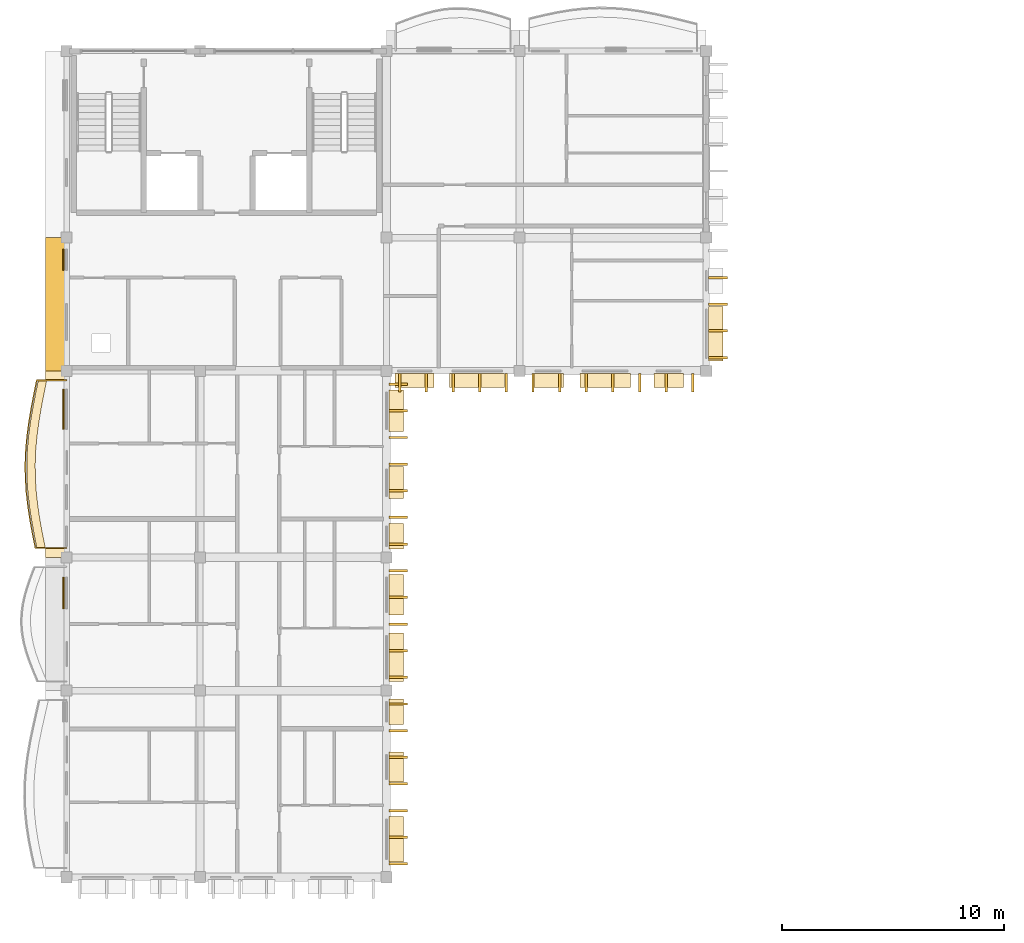
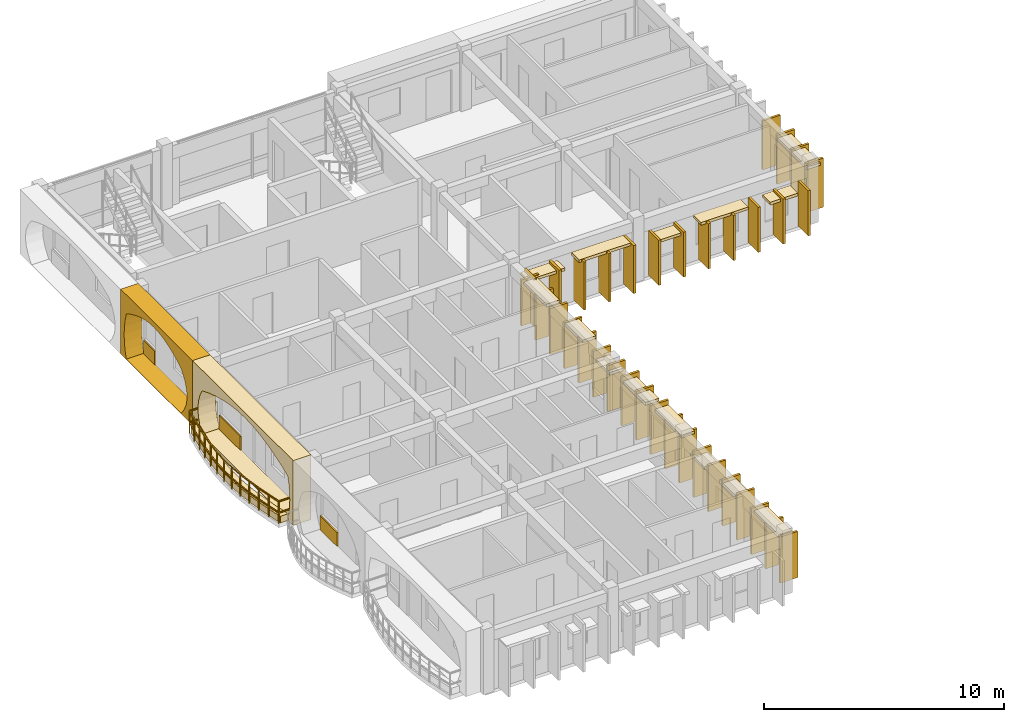
# One storey, part 20 of 28: 55 coverings, 1 railing.
"""IFC4 building model written with IfcOpenShell, lengths in metres."""

from ifc_helpers import new_model, si_unit, direction, frame, origin, origin_2d, place, context, subcontext, project, spatial, polyline, rectangle, outline, extrude, material, layer, layer_set, type_object, element, save


model = new_model("IFC4")

# Units and contexts
model_context = context("Model", 3, precision=1e-05, world=origin(), true_north=direction((0.0, 1.0)))
body_context = subcontext(model_context, "Body", "Model", "MODEL_VIEW")
ifc_project = project(units=[si_unit("LENGTHUNIT", "METRE"), si_unit("AREAUNIT", "SQUARE_METRE"), si_unit("VOLUMEUNIT", "CUBIC_METRE"), si_unit("PLANEANGLEUNIT", "RADIAN"), si_unit("MASSUNIT", "GRAM", prefix="KILO"), si_unit("THERMODYNAMICTEMPERATUREUNIT", "KELVIN")], contexts=[model_context])

# Site, building, storey
site_placement = place(None, origin())
site = spatial("IfcSite", under=ifc_project, at=site_placement, CompositionType="ELEMENT")
building_placement = place(site_placement, origin())
building = spatial("IfcBuilding", under=site, at=building_placement, Name="Thalorik Housing Commons", CompositionType="ELEMENT")
storey_placement = place(building_placement, frame((0.0, 0.0, 41.10009765625)))
storey = spatial("IfcBuildingStorey", under=building, at=storey_placement, Name="L12", CompositionType="ELEMENT", Elevation=41.10009765625)

# Coverings
ifc_material_1 = material(Name="Cobalt blue glazed ceramic facade tile panel", Category="masonry")
ifc_layer_1 = layer(ifc_material_1, 0.06005859375, Name="Cobalt blue glazed ceramic facade tile panel", Category="masonry")
ifc_layer_set_1 = layer_set([ifc_layer_1], Name="Cobalt blue glazed ceramic facade tile panel")
covering_type_1 = type_object("IfcCoveringType", Name="ARC-CLD-BLU-60", PredefinedType="CLADDING", material=ifc_layer_set_1)
covering_1_placement = place(storey_placement, frame((8.257568359375, 107.472412109375, 0.0498046875), z_axis=(0.0, 0.0, 1.0), x_axis=(0.0, -1.0, 0.0)))
element("IfcCovering", 1, at=covering_1_placement, inside=storey, type_object=covering_type_1, Name="L12 De Stijl Recessed Window Spandrel 1214", PredefinedType="CLADDING", context=body_context, shape_type="SweptSolid", body=[
    extrude(rectangle(XDim=1.780029296875, YDim=0.06005859375, at=origin_2d()), origin(), (0.0, 0.0, 1.0), 0.699951171875),
])
ifc_material_2 = material(Name="Precast concrete C40/50", Category="concrete")
ifc_layer_2 = layer(ifc_material_2, 0.85009765625, Name="Precast concrete C40/50", Category="concrete")
ifc_layer_set_2 = layer_set([ifc_layer_2], Name="Precast concrete C40/50")
covering_type_2 = type_object("IfcCoveringType", Name="ARC-CLD-CUSH-850", PredefinedType="CLADDING", material=ifc_layer_set_2)
covering_2_placement = place(storey_placement, frame((7.867431640625, 112.199951171875, 0.0), z_axis=(0.0, 0.0, 1.0), x_axis=(0.0, -1.0, 0.0)))
element("IfcCovering", 2, at=covering_2_placement, inside=storey, type_object=covering_type_2, Name="L12 White Precast Curved Cushion Bay Frame 1211", PredefinedType="CLADDING", context=body_context, shape_type="SweptSolid", body=[
    extrude(outline(polyline([(-3.0, 0.0), (3.0, 0.0), (3.0, 3.300048828125), (-3.0, 3.300048828125), (-3.0, 0.0)]), holes=[polyline([(2.0400390625, 0.02490234375), (2.3232421875, 0.407470703125), (2.493408203125, 0.7900390625), (2.550048828125, 1.172607421875), (2.493408203125, 1.554931640625), (2.3232421875, 1.9375), (2.0400390625, 2.320068359375), (1.6591796875, 2.539306640625), (1.2783203125, 2.711181640625), (0.8974609375, 2.8505859375), (0.5166015625, 2.954345703125), (0.1357421875, 3.018310546875), (-0.2451171875, 3.0400390625), (-0.625732421875, 3.018310546875), (-1.006591796875, 2.954345703125), (-1.387451171875, 2.8505859375), (-1.768310546875, 2.711181640625), (-2.149169921875, 2.539306640625), (-2.530029296875, 2.320068359375), (-2.629150390625, 1.9375), (-2.688720703125, 1.554931640625), (-2.70849609375, 1.172607421875), (-2.688720703125, 0.7900390625), (-2.629150390625, 0.407470703125), (-2.530029296875, 0.02490234375), (2.0400390625, 0.02490234375)])]), frame((0.0, 0.425048828125, 0.0), z_axis=(0.0, -1.0, 0.0), x_axis=(1.0, 0.0, 0.0)), (0.0, 0.0, 1.0), 0.85009765625),
])
covering_3_placement = place(storey_placement, frame((7.867431640625, 105.0, 0.0), z_axis=(0.0, 0.0, 1.0), x_axis=(0.0, -1.0, 0.0)))
element("IfcCovering", 3, at=covering_3_placement, inside=storey, type_object=covering_type_2, Name="L12 White Precast Curved Cushion Bay Frame 1213", PredefinedType="CLADDING", context=body_context, shape_type="SweptSolid", body=[
    extrude(outline(polyline([(-4.199951171875, 0.0), (4.199951171875, 0.0), (4.199951171875, 3.300048828125), (-4.199951171875, 3.300048828125), (-4.199951171875, 0.0)]), holes=[polyline([(3.739990234375, 0.02490234375), (3.837158203125, 0.394287109375), (3.8955078125, 0.76318359375), (3.914794921875, 1.132568359375), (3.8955078125, 1.501708984375), (3.837158203125, 1.870849609375), (3.739990234375, 2.239990234375), (3.14404296875, 2.4833984375), (2.5478515625, 2.6748046875), (1.951904296875, 2.82958984375), (1.355712890625, 2.94482421875), (0.759765625, 3.01611328125), (0.163818359375, 3.0400390625), (-0.432373046875, 3.01611328125), (-1.0283203125, 2.94482421875), (-1.62451171875, 2.82958984375), (-2.220458984375, 2.6748046875), (-2.81640625, 2.4833984375), (-3.41259765625, 2.239990234375), (-3.60009765625, 1.870849609375), (-3.71240234375, 1.501708984375), (-3.75, 1.132568359375), (-3.71240234375, 0.76318359375), (-3.60009765625, 0.394287109375), (-3.41259765625, 0.02490234375), (3.739990234375, 0.02490234375)])]), frame((0.0, 0.425048828125, 0.0), z_axis=(0.0, -1.0, 0.0), x_axis=(1.0, 0.0, 0.0)), (0.0, 0.0, 1.0), 0.85009765625),
])
ifc_layer_3 = layer(ifc_material_2, 0.85009765625, Name="Precast concrete C40/50", Category="concrete")
ifc_layer_set_3 = layer_set([ifc_layer_3], Name="Precast concrete C40/50")
covering_type_3 = type_object("IfcCoveringType", Name="ARC-CLD-FIN-850", PredefinedType="CLADDING", material=ifc_layer_set_3)
for number, where, z_axis, x_axis, name in (
    (4, (23.39990234375, 108.66748046875, 0.0400390625), (0.0, 0.0, 1.0), (1.0, 0.0, 0.0), "L12 Courtyard Precast Vertical Brise-Soleil Fin 1171"),
    (5, (24.60009765625, 108.66748046875, 0.0400390625), (0.0, 0.0, 1.0), (1.0, 0.0, 0.0), "L12 Courtyard Precast Vertical Brise-Soleil Fin 1172"),
    (6, (25.800048828125, 108.66748046875, 0.0400390625), (0.0, 0.0, 1.0), (1.0, 0.0, 0.0), "L12 Courtyard Precast Vertical Brise-Soleil Fin 1173"),
    (7, (27.0, 108.66748046875, 0.0400390625), (0.0, 0.0, 1.0), (1.0, 0.0, 0.0), "L12 Courtyard Precast Vertical Brise-Soleil Fin 1174"),
    (8, (28.199951171875, 108.66748046875, 0.0400390625), (0.0, 0.0, 1.0), (1.0, 0.0, 0.0), "L12 Courtyard Precast Vertical Brise-Soleil Fin 1175"),
):
    element("IfcCovering", number, at=place(storey_placement, frame(where, z_axis=z_axis, x_axis=x_axis)), inside=storey, type_object=covering_type_3, Name=name, PredefinedType="CLADDING", context=body_context, shape_type="SweptSolid", body=[
        extrude(rectangle(XDim=0.110107421875, YDim=0.85009765625, at=origin_2d()), origin(), (0.0, 0.0, 1.0), 2.445068359375),
    ])
for number, where, z_axis, x_axis, name in (
    (9, (29.39990234375, 108.66748046875, 0.0400390625), (0.0, 0.0, 1.0), (1.0, 0.0, 0.0), "L12 Courtyard Precast Vertical Brise-Soleil Fin 1178"),
    (10, (30.60009765625, 108.66748046875, 0.0400390625), (0.0, 0.0, 1.0), (1.0, 0.0, 0.0), "L12 Courtyard Precast Vertical Brise-Soleil Fin 1179"),
    (11, (31.800048828125, 108.66748046875, 0.0400390625), (0.0, 0.0, 1.0), (1.0, 0.0, 0.0), "L12 Courtyard Precast Vertical Brise-Soleil Fin 1180"),
    (12, (33.0, 108.66748046875, 0.0400390625), (0.0, 0.0, 1.0), (1.0, 0.0, 0.0), "L12 Courtyard Precast Vertical Brise-Soleil Fin 1181"),
    (13, (34.199951171875, 108.66748046875, 0.0400390625), (0.0, 0.0, 1.0), (1.0, 0.0, 0.0), "L12 Courtyard Precast Vertical Brise-Soleil Fin 1182"),
    (14, (35.39990234375, 108.66748046875, 0.0400390625), (0.0, 0.0, 1.0), (1.0, 0.0, 0.0), "L12 Courtyard Precast Vertical Brise-Soleil Fin 1183"),
    (15, (36.60009765625, 108.66748046875, 0.0400390625), (0.0, 0.0, 1.0), (1.0, 0.0, 0.0), "L12 Courtyard Precast Vertical Brise-Soleil Fin 1184"),
):
    element("IfcCovering", number, at=place(storey_placement, frame(where, z_axis=z_axis, x_axis=x_axis)), inside=storey, type_object=covering_type_3, Name=name, PredefinedType="CLADDING", context=body_context, shape_type="SweptSolid", body=[
        extrude(rectangle(XDim=0.110107421875, YDim=0.85009765625, at=origin_2d()), origin(), (0.0, 0.0, 1.0), 2.294921875),
    ])
for number, where, z_axis, x_axis, name in (
    (16, (37.732421875, 109.800048828125, 0.039794921875), (0.0, 0.0, 1.0), (0.0, 1.0, 0.0), "L12 Courtyard Precast Vertical Brise-Soleil Fin 1188"),
    (17, (37.732421875, 111.0, 0.039794921875), (0.0, 0.0, 1.0), (0.0, 1.0, 0.0), "L12 Courtyard Precast Vertical Brise-Soleil Fin 1189"),
    (18, (37.732421875, 112.199951171875, 0.039794921875), (0.0, 0.0, 1.0), (0.0, 1.0, 0.0), "L12 Courtyard Precast Vertical Brise-Soleil Fin 1190"),
    (19, (37.732421875, 113.39990234375, 0.039794921875), (0.0, 0.0, 1.0), (0.0, 1.0, 0.0), "L12 Courtyard Precast Vertical Brise-Soleil Fin 1191"),
):
    element("IfcCovering", number, at=place(storey_placement, frame(where, z_axis=z_axis, x_axis=x_axis)), inside=storey, type_object=covering_type_3, Name=name, PredefinedType="CLADDING", context=body_context, shape_type="SweptSolid", body=[
        extrude(rectangle(XDim=0.110107421875, YDim=0.85009765625, at=origin_2d()), origin(), (0.0, 0.0, 1.0), 2.4951171875),
    ])
for number, where, z_axis, x_axis, name in (
    (20, (23.33251953125, 87.0, 0.0400390625), (0.0, 0.0, 1.0), (0.0, 1.0, 0.0), "L12 Courtyard Precast Vertical Brise-Soleil Fin 1236"),
    (21, (23.33251953125, 88.199951171875, 0.0400390625), (0.0, 0.0, 1.0), (0.0, 1.0, 0.0), "L12 Courtyard Precast Vertical Brise-Soleil Fin 1237"),
    (22, (23.33251953125, 89.39990234375, 0.0400390625), (0.0, 0.0, 1.0), (0.0, 1.0, 0.0), "L12 Courtyard Precast Vertical Brise-Soleil Fin 1238"),
    (23, (23.33251953125, 90.60009765625, 0.0400390625), (0.0, 0.0, 1.0), (0.0, 1.0, 0.0), "L12 Courtyard Precast Vertical Brise-Soleil Fin 1239"),
    (24, (23.33251953125, 91.800048828125, 0.0400390625), (0.0, 0.0, 1.0), (0.0, 1.0, 0.0), "L12 Courtyard Precast Vertical Brise-Soleil Fin 1240"),
    (25, (23.33251953125, 93.0, 0.0400390625), (0.0, 0.0, 1.0), (0.0, 1.0, 0.0), "L12 Courtyard Precast Vertical Brise-Soleil Fin 1241"),
    (26, (23.33251953125, 94.199951171875, 0.0400390625), (0.0, 0.0, 1.0), (0.0, 1.0, 0.0), "L12 Courtyard Precast Vertical Brise-Soleil Fin 1242"),
):
    element("IfcCovering", number, at=place(storey_placement, frame(where, z_axis=z_axis, x_axis=x_axis)), inside=storey, type_object=covering_type_3, Name=name, PredefinedType="CLADDING", context=body_context, shape_type="SweptSolid", body=[
        extrude(rectangle(XDim=0.110107421875, YDim=0.85009765625, at=origin_2d()), origin(), (0.0, 0.0, 1.0), 2.344970703125),
    ])
for number, where, z_axis, x_axis, name in (
    (27, (23.33251953125, 95.39990234375, 0.039794921875), (0.0, 0.0, 1.0), (0.0, 1.0, 0.0), "L12 Courtyard Precast Vertical Brise-Soleil Fin 1246"),
    (28, (23.33251953125, 96.60009765625, 0.039794921875), (0.0, 0.0, 1.0), (0.0, 1.0, 0.0), "L12 Courtyard Precast Vertical Brise-Soleil Fin 1247"),
    (29, (23.33251953125, 97.800048828125, 0.039794921875), (0.0, 0.0, 1.0), (0.0, 1.0, 0.0), "L12 Courtyard Precast Vertical Brise-Soleil Fin 1248"),
    (30, (23.33251953125, 99.0, 0.039794921875), (0.0, 0.0, 1.0), (0.0, 1.0, 0.0), "L12 Courtyard Precast Vertical Brise-Soleil Fin 1249"),
    (31, (23.33251953125, 100.199951171875, 0.039794921875), (0.0, 0.0, 1.0), (0.0, 1.0, 0.0), "L12 Courtyard Precast Vertical Brise-Soleil Fin 1250"),
):
    element("IfcCovering", number, at=place(storey_placement, frame(where, z_axis=z_axis, x_axis=x_axis)), inside=storey, type_object=covering_type_3, Name=name, PredefinedType="CLADDING", context=body_context, shape_type="SweptSolid", body=[
        extrude(rectangle(XDim=0.110107421875, YDim=0.85009765625, at=origin_2d()), origin(), (0.0, 0.0, 1.0), 2.4951171875),
    ])
for number, where, z_axis, x_axis, name in (
    (32, (23.33251953125, 101.39990234375, 0.0400390625), (0.0, 0.0, 1.0), (0.0, 1.0, 0.0), "L12 Courtyard Precast Vertical Brise-Soleil Fin 1253"),
    (33, (23.33251953125, 102.60009765625, 0.0400390625), (0.0, 0.0, 1.0), (0.0, 1.0, 0.0), "L12 Courtyard Precast Vertical Brise-Soleil Fin 1254"),
    (34, (23.33251953125, 103.800048828125, 0.0400390625), (0.0, 0.0, 1.0), (0.0, 1.0, 0.0), "L12 Courtyard Precast Vertical Brise-Soleil Fin 1255"),
    (35, (23.33251953125, 105.0, 0.0400390625), (0.0, 0.0, 1.0), (0.0, 1.0, 0.0), "L12 Courtyard Precast Vertical Brise-Soleil Fin 1256"),
    (36, (23.33251953125, 106.199951171875, 0.0400390625), (0.0, 0.0, 1.0), (0.0, 1.0, 0.0), "L12 Courtyard Precast Vertical Brise-Soleil Fin 1257"),
    (37, (23.33251953125, 107.39990234375, 0.0400390625), (0.0, 0.0, 1.0), (0.0, 1.0, 0.0), "L12 Courtyard Precast Vertical Brise-Soleil Fin 1258"),
    (38, (23.33251953125, 108.60009765625, 0.0400390625), (0.0, 0.0, 1.0), (0.0, 1.0, 0.0), "L12 Courtyard Precast Vertical Brise-Soleil Fin 1259"),
):
    element("IfcCovering", number, at=place(storey_placement, frame(where, z_axis=z_axis, x_axis=x_axis)), inside=storey, type_object=covering_type_3, Name=name, PredefinedType="CLADDING", context=body_context, shape_type="SweptSolid", body=[
        extrude(rectangle(XDim=0.110107421875, YDim=0.85009765625, at=origin_2d()), origin(), (0.0, 0.0, 1.0), 2.344970703125),
    ])
ifc_layer_4 = layer(ifc_material_2, 0.64990234375, Name="Precast concrete C40/50", Category="concrete")
ifc_layer_set_4 = layer_set([ifc_layer_4], Name="Precast concrete C40/50")
covering_type_4 = type_object("IfcCoveringType", Name="ARC-CLD-HOOD-650", PredefinedType="CLADDING", material=ifc_layer_set_4)
covering_4_placement = place(storey_placement, frame((24.070068359375, 108.767578125, 2.2099609375), z_axis=(0.0, 0.0, 1.0), x_axis=(1.0, 0.0, 0.0)))
element("IfcCovering", 39, at=covering_4_placement, inside=storey, type_object=covering_type_4, Name="L12 Courtyard Precast Window Sun-Hood 1176", PredefinedType="CLADDING", context=body_context, shape_type="SweptSolid", body=[
    extrude(rectangle(XDim=1.760009765625, YDim=0.64990234375, at=origin_2d()), origin(), (0.0, 0.0, 1.0), 0.139892578125),
])
covering_5_placement = place(storey_placement, frame((26.8798828125, 108.767578125, 2.375), z_axis=(0.0, 0.0, 1.0), x_axis=(1.0, 0.0, 0.0)))
element("IfcCovering", 40, at=covering_5_placement, inside=storey, type_object=covering_type_4, Name="L12 Courtyard Precast Window Sun-Hood 1177", PredefinedType="CLADDING", context=body_context, shape_type="SweptSolid", body=[
    extrude(rectangle(XDim=2.489990234375, YDim=0.64990234375, at=origin_2d()), origin(), (0.0, 0.0, 1.0), 0.139892578125),
])
covering_6_placement = place(storey_placement, frame((30.0673828125, 108.767578125, 2.0400390625), z_axis=(0.0, 0.0, 1.0), x_axis=(1.0, 0.0, 0.0)))
element("IfcCovering", 41, at=covering_6_placement, inside=storey, type_object=covering_type_4, Name="L12 Courtyard Precast Window Sun-Hood 1185", PredefinedType="CLADDING", context=body_context, shape_type="SweptSolid", body=[
    extrude(rectangle(XDim=1.389892578125, YDim=0.64990234375, at=origin_2d()), origin(), (0.0, 0.0, 1.0), 0.139892578125),
])
covering_7_placement = place(storey_placement, frame((32.646240234375, 108.767578125, 2.22509765625), z_axis=(0.0, 0.0, 1.0), x_axis=(1.0, 0.0, 0.0)))
element("IfcCovering", 42, at=covering_7_placement, inside=storey, type_object=covering_type_4, Name="L12 Courtyard Precast Window Sun-Hood 1186", PredefinedType="CLADDING", context=body_context, shape_type="SweptSolid", body=[
    extrude(rectangle(XDim=2.280029296875, YDim=0.64990234375, at=origin_2d()), origin(), (0.0, 0.0, 1.0), 0.139892578125),
])
covering_8_placement = place(storey_placement, frame((35.5087890625, 108.767578125, 2.08984375), z_axis=(0.0, 0.0, 1.0), x_axis=(1.0, 0.0, 0.0)))
element("IfcCovering", 43, at=covering_8_placement, inside=storey, type_object=covering_type_4, Name="L12 Courtyard Precast Window Sun-Hood 1187", PredefinedType="CLADDING", context=body_context, shape_type="SweptSolid", body=[
    extrude(rectangle(XDim=1.340087890625, YDim=0.64990234375, at=origin_2d()), origin(), (0.0, 0.0, 1.0), 0.139892578125),
])
covering_9_placement = place(storey_placement, frame((37.632568359375, 110.87548828125, 2.2900390625), z_axis=(0.0, 0.0, 1.0), x_axis=(0.0, 1.0, 0.0)))
element("IfcCovering", 44, at=covering_9_placement, inside=storey, type_object=covering_type_4, Name="L12 Courtyard Precast Window Sun-Hood 1193", PredefinedType="CLADDING", context=body_context, shape_type="SweptSolid", body=[
    extrude(rectangle(XDim=2.43994140625, YDim=0.64990234375, at=origin_2d()), origin(), (0.0, 0.0, 1.0), 0.139892578125),
])
covering_10_placement = place(storey_placement, frame((23.232421875, 88.11376953125, 2.27490234375), z_axis=(0.0, 0.0, 1.0), x_axis=(0.0, 1.0, 0.0)))
element("IfcCovering", 45, at=covering_10_placement, inside=storey, type_object=covering_type_4, Name="L12 Courtyard Precast Window Sun-Hood 1243", PredefinedType="CLADDING", context=body_context, shape_type="SweptSolid", body=[
    extrude(rectangle(XDim=2.0400390625, YDim=0.64990234375, at=origin_2d()), origin(), (0.0, 0.0, 1.0), 0.139892578125),
])
covering_11_placement = place(storey_placement, frame((23.232421875, 91.35888671875, 2.08984375), z_axis=(0.0, 0.0, 1.0), x_axis=(0.0, 1.0, 0.0)))
element("IfcCovering", 46, at=covering_11_placement, inside=storey, type_object=covering_type_4, Name="L12 Courtyard Precast Window Sun-Hood 1244", PredefinedType="CLADDING", context=body_context, shape_type="SweptSolid", body=[
    extrude(rectangle(XDim=1.340087890625, YDim=0.64990234375, at=origin_2d()), origin(), (0.0, 0.0, 1.0), 0.139892578125),
])
covering_12_placement = place(storey_placement, frame((23.232421875, 93.844970703125, 1.98974609375), z_axis=(0.0, 0.0, 1.0), x_axis=(0.0, 1.0, 0.0)))
element("IfcCovering", 47, at=covering_12_placement, inside=storey, type_object=covering_type_4, Name="L12 Courtyard Precast Window Sun-Hood 1245", PredefinedType="CLADDING", context=body_context, shape_type="SweptSolid", body=[
    extrude(rectangle(XDim=1.139892578125, YDim=0.64990234375, at=origin_2d()), origin(), (0.0, 0.0, 1.0), 0.139892578125),
])
covering_13_placement = place(storey_placement, frame((23.232421875, 96.302978515625, 2.4248046875), z_axis=(0.0, 0.0, 1.0), x_axis=(0.0, 1.0, 0.0)))
element("IfcCovering", 48, at=covering_13_placement, inside=storey, type_object=covering_type_4, Name="L12 Courtyard Precast Window Sun-Hood 1251", PredefinedType="CLADDING", context=body_context, shape_type="SweptSolid", body=[
    extrude(rectangle(XDim=2.18994140625, YDim=0.64990234375, at=origin_2d()), origin(), (0.0, 0.0, 1.0), 0.139892578125),
])
covering_14_placement = place(storey_placement, frame((23.232421875, 99.113037109375, 2.27001953125), z_axis=(0.0, 0.0, 1.0), x_axis=(0.0, 1.0, 0.0)))
element("IfcCovering", 49, at=covering_14_placement, inside=storey, type_object=covering_type_4, Name="L12 Courtyard Precast Window Sun-Hood 1252", PredefinedType="CLADDING", context=body_context, shape_type="SweptSolid", body=[
    extrude(rectangle(XDim=1.820068359375, YDim=0.64990234375, at=origin_2d()), origin(), (0.0, 0.0, 1.0), 0.139892578125),
])
covering_15_placement = place(storey_placement, frame((23.232421875, 101.760009765625, 1.98974609375), z_axis=(0.0, 0.0, 1.0), x_axis=(0.0, 1.0, 0.0)))
element("IfcCovering", 50, at=covering_15_placement, inside=storey, type_object=covering_type_4, Name="L12 Courtyard Precast Window Sun-Hood 1260", PredefinedType="CLADDING", context=body_context, shape_type="SweptSolid", body=[
    extrude(rectangle(XDim=1.139892578125, YDim=0.64990234375, at=origin_2d()), origin(), (0.0, 0.0, 1.0), 0.139892578125),
])
covering_16_placement = place(storey_placement, frame((23.232421875, 104.164306640625, 2.27490234375), z_axis=(0.0, 0.0, 1.0), x_axis=(0.0, 1.0, 0.0)))
element("IfcCovering", 51, at=covering_16_placement, inside=storey, type_object=covering_type_4, Name="L12 Courtyard Precast Window Sun-Hood 1261", PredefinedType="CLADDING", context=body_context, shape_type="SweptSolid", body=[
    extrude(rectangle(XDim=1.43994140625, YDim=0.64990234375, at=origin_2d()), origin(), (0.0, 0.0, 1.0), 0.139892578125),
])
covering_17_placement = place(storey_placement, frame((23.232421875, 107.404296875, 2.27490234375), z_axis=(0.0, 0.0, 1.0), x_axis=(0.0, 1.0, 0.0)))
element("IfcCovering", 52, at=covering_17_placement, inside=storey, type_object=covering_type_4, Name="L12 Courtyard Precast Window Sun-Hood 1262", PredefinedType="CLADDING", context=body_context, shape_type="SweptSolid", body=[
    extrude(rectangle(XDim=1.889892578125, YDim=0.64990234375, at=origin_2d()), origin(), (0.0, 0.0, 1.0), 0.139892578125),
])
ifc_material_3 = material(Name="Terracotta red mineral fibre-cement panel", Category="masonry")
ifc_layer_5 = layer(ifc_material_3, 0.054931640625, Name="Terracotta red mineral fibre-cement panel", Category="masonry")
ifc_layer_set_5 = layer_set([ifc_layer_5], Name="Terracotta red mineral fibre-cement panel")
covering_type_5 = type_object("IfcCoveringType", Name="ARC-CLD-RED-55", PredefinedType="CLADDING", material=ifc_layer_set_5)
covering_18_placement = place(storey_placement, frame((8.260009765625, 114.205078125, 0.0498046875), z_axis=(0.0, 0.0, 1.0), x_axis=(0.0, -1.0, 0.0)))
element("IfcCovering", 53, at=covering_18_placement, inside=storey, type_object=covering_type_5, Name="L12 De Stijl Recessed Window Spandrel 1212", PredefinedType="CLADDING", context=body_context, shape_type="SweptSolid", body=[
    extrude(rectangle(XDim=0.949951171875, YDim=0.054931640625, at=origin_2d()), origin(), (0.0, 0.0, 1.0), 0.699951171875),
])
ifc_material_4 = material(Name="Mineral ochre architectural terracotta panel", Category="masonry")
ifc_layer_6 = layer(ifc_material_4, 0.06494140625, Name="Mineral ochre architectural terracotta panel", Category="masonry")
ifc_layer_set_6 = layer_set([ifc_layer_6], Name="Mineral ochre architectural terracotta panel")
covering_type_6 = type_object("IfcCoveringType", Name="ARC-CLD-YEL-65", PredefinedType="CLADDING", material=ifc_layer_set_6)
covering_19_placement = place(storey_placement, frame((8.2548828125, 99.20751953125, 0.0498046875), z_axis=(0.0, 0.0, 1.0), x_axis=(0.0, -1.0, 0.0)))
element("IfcCovering", 54, at=covering_19_placement, inside=storey, type_object=covering_type_6, Name="L12 De Stijl Recessed Window Spandrel 1216", PredefinedType="CLADDING", context=body_context, shape_type="SweptSolid", body=[
    extrude(rectangle(XDim=1.419921875, YDim=0.06494140625, at=origin_2d()), origin(), (0.0, 0.0, 1.0), 0.699951171875),
])
ifc_material_5 = material(Name="Planted vegetated substrate and terracotta trough", Category="masonry")
ifc_layer_7 = layer(ifc_material_5, 0.340087890625, Name="Planted vegetated substrate and terracotta trough", Category="masonry")
ifc_layer_set_7 = layer_set([ifc_layer_7], Name="Planted vegetated substrate and terracotta trough")
covering_type_7 = type_object("IfcCoveringType", Name="ARC-COV-PLANTER", PredefinedType="USERDEFINED", material=ifc_layer_set_7)
covering_20_placement = place(storey_placement, origin())
element("IfcCovering", 55, at=covering_20_placement, inside=storey, type_object=covering_type_7, Name="L12 Balcony Slab-Edge Planted Trough 5401", ObjectType="PLANTER", PredefinedType="USERDEFINED", context=body_context, shape_type="SweptSolid", body=[
    extrude(outline(polyline([(7.122802734375, 108.780029296875), (6.9951171875, 108.14990234375), (6.87451171875, 107.52001953125), (6.768798828125, 106.889892578125), (6.68505859375, 106.260009765625), (6.62890625, 105.6298828125), (6.60400390625, 105.0), (6.612060546875, 104.3701171875), (6.65283203125, 103.739990234375), (6.7236328125, 103.110107421875), (6.819580078125, 102.47998046875), (6.934814453125, 101.85009765625), (7.061279296875, 101.219970703125), (7.44140625, 101.219970703125), (7.314697265625, 101.85009765625), (7.19970703125, 102.47998046875), (7.103759765625, 103.110107421875), (7.032958984375, 103.739990234375), (6.9921875, 104.3701171875), (6.98388671875, 105.0), (7.0087890625, 105.6298828125), (7.065185546875, 106.260009765625), (7.14892578125, 106.889892578125), (7.254638671875, 107.52001953125), (7.375244140625, 108.14990234375), (7.502685546875, 108.780029296875), (7.122802734375, 108.780029296875)])), origin(), (0.0, 0.0, 1.0), 0.33984375),
])

# Railing
ifc_material_6 = material(Name="Steel S355", Category="steel")
railing_type = type_object("IfcRailingType", Name="ARC-RL-BAL-115", PredefinedType="BALUSTRADE", material=ifc_material_6)
railing_placement = place(storey_placement, frame((8.39990234375, 108.780029296875, 0.0)))
element("IfcRailing", 56, at=railing_placement, inside=storey, type_object=railing_type, Name="L12 Cushion Balcony Guardrail 85", PredefinedType="BALUSTRADE", context=body_context, shape_type="SweptSolid", body=[
    extrude(rectangle(XDim=0.050048828125, YDim=0.050048828125, at=origin_2d()), frame((0.0, 0.0, 1.125), z_axis=(-1.0, 0.0, 0.0), x_axis=(0.0, -1.0, 0.0)), (0.0, 0.0, 1.0), 1.34716796875),
    extrude(rectangle(XDim=0.050048828125, YDim=0.050048828125, at=origin_2d()), frame((0.0, 0.0, 0.5498046875), z_axis=(-1.0, 0.0, 0.0), x_axis=(0.0, -1.0, 0.0)), (0.0, 0.0, 1.0), 1.34716796875),
    extrude(rectangle(XDim=0.050048828125, YDim=0.050048828125, at=origin_2d()), frame((-1.34716796875, 0.0, 1.125), z_axis=(-0.198233557602, -0.980154812588, 0.0), x_axis=(0.980154812588, -0.198233557602, 0.0)), (0.0, 0.0, 1.0), 0.642822265625),
    extrude(rectangle(XDim=0.050048828125, YDim=0.050048828125, at=origin_2d()), frame((-1.34716796875, 0.0, 0.5498046875), z_axis=(-0.198233557602, -0.980154812588, 0.0), x_axis=(0.980154812588, -0.198233557602, 0.0)), (0.0, 0.0, 1.0), 0.642822265625),
    extrude(rectangle(XDim=0.050048828125, YDim=0.050048828125, at=origin_2d()), frame((-1.474609375, -0.630126953125, 1.125), z_axis=(-0.188056644538, -0.982158184024, 0.0), x_axis=(0.982158184024, -0.188056644538, 0.0)), (0.0, 0.0, 1.0), 0.641357421875),
    extrude(rectangle(XDim=0.050048828125, YDim=0.050048828125, at=origin_2d()), frame((-1.474609375, -0.630126953125, 0.5498046875), z_axis=(-0.188056644538, -0.982158184024, 0.0), x_axis=(0.982158184024, -0.188056644538, 0.0)), (0.0, 0.0, 1.0), 0.641357421875),
    extrude(rectangle(XDim=0.050048828125, YDim=0.050048828125, at=origin_2d()), frame((-1.59521484375, -1.260009765625, 1.125), z_axis=(-0.165452269224, -0.986217798769, 0.0), x_axis=(0.986217798769, -0.165452269224, 0.0)), (0.0, 0.0, 1.0), 0.638916015625),
    extrude(rectangle(XDim=0.050048828125, YDim=0.050048828125, at=origin_2d()), frame((-1.59521484375, -1.260009765625, 0.5498046875), z_axis=(-0.165452269224, -0.986217798769, 0.0), x_axis=(0.986217798769, -0.165452269224, 0.0)), (0.0, 0.0, 1.0), 0.638916015625),
    extrude(rectangle(XDim=0.050048828125, YDim=0.050048828125, at=origin_2d()), frame((-1.700927734375, -1.89013671875, 1.125), z_axis=(-0.132163720091, -0.991227900683, 0.0), x_axis=(0.991227900683, -0.132163720091, 0.0)), (0.0, 0.0, 1.0), 0.635498046875),
    extrude(rectangle(XDim=0.050048828125, YDim=0.050048828125, at=origin_2d()), frame((-1.700927734375, -1.89013671875, 0.5498046875), z_axis=(-0.132163720091, -0.991227900683, 0.0), x_axis=(0.991227900683, -0.132163720091, 0.0)), (0.0, 0.0, 1.0), 0.635498046875),
    extrude(rectangle(XDim=0.050048828125, YDim=0.050048828125, at=origin_2d()), frame((-1.784912109375, -2.52001953125, 1.125), z_axis=(-0.088761014667, -0.996052951542, 0.0), x_axis=(0.996052951542, -0.088761014667, 0.0)), (0.0, 0.0, 1.0), 0.632568359375),
    extrude(rectangle(XDim=0.050048828125, YDim=0.050048828125, at=origin_2d()), frame((-1.784912109375, -2.52001953125, 0.5498046875), z_axis=(-0.088761014667, -0.996052951542, 0.0), x_axis=(0.996052951542, -0.088761014667, 0.0)), (0.0, 0.0, 1.0), 0.632568359375),
    extrude(rectangle(XDim=0.050048828125, YDim=0.050048828125, at=origin_2d()), frame((-1.841064453125, -3.150146484375, 1.125), z_axis=(-0.039504023242, -0.999219411415, 0.0), x_axis=(0.999219411415, -0.039504023242, 0.0)), (0.0, 0.0, 1.0), 0.63037109375),
    extrude(rectangle(XDim=0.050048828125, YDim=0.050048828125, at=origin_2d()), frame((-1.841064453125, -3.150146484375, 0.5498046875), z_axis=(-0.039504023242, -0.999219411415, 0.0), x_axis=(0.999219411415, -0.039504023242, 0.0)), (0.0, 0.0, 1.0), 0.63037109375),
    extrude(rectangle(XDim=0.050048828125, YDim=0.050048828125, at=origin_2d()), frame((-1.865966796875, -3.780029296875, 1.125), z_axis=(0.012789651511, -0.999918209062, 0.0), x_axis=(0.999918209062, 0.012789651511, 0.0)), (0.0, 0.0, 1.0), 0.6298828125),
    extrude(rectangle(XDim=0.050048828125, YDim=0.050048828125, at=origin_2d()), frame((-1.865966796875, -3.780029296875, 0.5498046875), z_axis=(0.012789651511, -0.999918209062, 0.0), x_axis=(0.999918209062, 0.012789651511, 0.0)), (0.0, 0.0, 1.0), 0.6298828125),
    extrude(rectangle(XDim=0.050048828125, YDim=0.050048828125, at=origin_2d()), frame((-1.85791015625, -4.409912109375, 1.125), z_axis=(0.064953596266, -0.997888285497, 0.0), x_axis=(0.997888285497, 0.064953596266, 0.0)), (0.0, 0.0, 1.0), 0.63134765625),
    extrude(rectangle(XDim=0.050048828125, YDim=0.050048828125, at=origin_2d()), frame((-1.85791015625, -4.409912109375, 0.5498046875), z_axis=(0.064953596266, -0.997888285497, 0.0), x_axis=(0.997888285497, 0.064953596266, 0.0)), (0.0, 0.0, 1.0), 0.63134765625),
    extrude(rectangle(XDim=0.050048828125, YDim=0.050048828125, at=origin_2d()), frame((-1.81689453125, -5.0400390625, 1.125), z_axis=(0.1116996832, -0.993742009162, 0.0), x_axis=(0.993742009162, 0.1116996832, 0.0)), (0.0, 0.0, 1.0), 0.6337890625),
    extrude(rectangle(XDim=0.050048828125, YDim=0.050048828125, at=origin_2d()), frame((-1.81689453125, -5.0400390625, 0.5498046875), z_axis=(0.1116996832, -0.993742009162, 0.0), x_axis=(0.993742009162, 0.1116996832, 0.0)), (0.0, 0.0, 1.0), 0.6337890625),
    extrude(rectangle(XDim=0.050048828125, YDim=0.050048828125, at=origin_2d()), frame((-1.74609375, -5.669921875, 1.125), z_axis=(0.150531517902, -0.988605210445, 0.0), x_axis=(0.988605210445, 0.150531517902, 0.0)), (0.0, 0.0, 1.0), 0.637451171875),
    extrude(rectangle(XDim=0.050048828125, YDim=0.050048828125, at=origin_2d()), frame((-1.74609375, -5.669921875, 0.5498046875), z_axis=(0.150531517902, -0.988605210445, 0.0), x_axis=(0.988605210445, 0.150531517902, 0.0)), (0.0, 0.0, 1.0), 0.637451171875),
    extrude(rectangle(XDim=0.050048828125, YDim=0.050048828125, at=origin_2d()), frame((-1.650146484375, -6.300048828125, 1.125), z_axis=(0.1795900258, -0.983741542598, 0.0), x_axis=(0.983741542598, 0.1795900258, 0.0)), (0.0, 0.0, 1.0), 0.640380859375),
    extrude(rectangle(XDim=0.050048828125, YDim=0.050048828125, at=origin_2d()), frame((-1.650146484375, -6.300048828125, 0.5498046875), z_axis=(0.1795900258, -0.983741542598, 0.0), x_axis=(0.983741542598, 0.1795900258, 0.0)), (0.0, 0.0, 1.0), 0.640380859375),
    extrude(rectangle(XDim=0.050048828125, YDim=0.050048828125, at=origin_2d()), frame((-1.53515625, -6.929931640625, 1.125), z_axis=(0.196773561375, -0.980448961213, 0.0), x_axis=(0.980448961213, 0.196773561375, 0.0)), (0.0, 0.0, 1.0), 0.642578125),
    extrude(rectangle(XDim=0.050048828125, YDim=0.050048828125, at=origin_2d()), frame((-1.53515625, -6.929931640625, 0.5498046875), z_axis=(0.196773561375, -0.980448961213, 0.0), x_axis=(0.980448961213, 0.196773561375, 0.0)), (0.0, 0.0, 1.0), 0.642578125),
    extrude(rectangle(XDim=0.050048828125, YDim=0.050048828125, at=origin_2d()), frame((-1.40869140625, -7.56005859375, 1.125), z_axis=(1.0, 0.0, 0.0), x_axis=(0.0, 1.0, 0.0)), (0.0, 0.0, 1.0), 1.40869140625),
    extrude(rectangle(XDim=0.050048828125, YDim=0.050048828125, at=origin_2d()), frame((-1.40869140625, -7.56005859375, 0.5498046875), z_axis=(1.0, 0.0, 0.0), x_axis=(0.0, 1.0, 0.0)), (0.0, 0.0, 1.0), 1.40869140625),
    extrude(rectangle(XDim=0.0419921875, YDim=0.0419921875, at=origin_2d()), origin(), (0.0, 0.0, 1.0), 1.099853515625),
    extrude(rectangle(XDim=0.0419921875, YDim=0.0419921875, at=origin_2d()), frame((-1.34716796875, 0.0, 0.0)), (0.0, 0.0, 1.0), 1.099853515625),
    extrude(rectangle(XDim=0.0419921875, YDim=0.0419921875, at=origin_2d()), frame((-1.474609375, -0.630126953125, 0.0)), (0.0, 0.0, 1.0), 1.099853515625),
    extrude(rectangle(XDim=0.0419921875, YDim=0.0419921875, at=origin_2d()), frame((-1.59521484375, -1.260009765625, 0.0)), (0.0, 0.0, 1.0), 1.099853515625),
    extrude(rectangle(XDim=0.0419921875, YDim=0.0419921875, at=origin_2d()), frame((-1.700927734375, -1.89013671875, 0.0)), (0.0, 0.0, 1.0), 1.099853515625),
    extrude(rectangle(XDim=0.0419921875, YDim=0.0419921875, at=origin_2d()), frame((-1.784912109375, -2.52001953125, 0.0)), (0.0, 0.0, 1.0), 1.099853515625),
    extrude(rectangle(XDim=0.0419921875, YDim=0.0419921875, at=origin_2d()), frame((-1.841064453125, -3.150146484375, 0.0)), (0.0, 0.0, 1.0), 1.099853515625),
    extrude(rectangle(XDim=0.0419921875, YDim=0.0419921875, at=origin_2d()), frame((-1.865966796875, -3.780029296875, 0.0)), (0.0, 0.0, 1.0), 1.099853515625),
    extrude(rectangle(XDim=0.0419921875, YDim=0.0419921875, at=origin_2d()), frame((-1.85791015625, -4.409912109375, 0.0)), (0.0, 0.0, 1.0), 1.099853515625),
    extrude(rectangle(XDim=0.0419921875, YDim=0.0419921875, at=origin_2d()), frame((-1.81689453125, -5.0400390625, 0.0)), (0.0, 0.0, 1.0), 1.099853515625),
    extrude(rectangle(XDim=0.0419921875, YDim=0.0419921875, at=origin_2d()), frame((-1.74609375, -5.669921875, 0.0)), (0.0, 0.0, 1.0), 1.099853515625),
    extrude(rectangle(XDim=0.0419921875, YDim=0.0419921875, at=origin_2d()), frame((-1.650146484375, -6.300048828125, 0.0)), (0.0, 0.0, 1.0), 1.099853515625),
    extrude(rectangle(XDim=0.0419921875, YDim=0.0419921875, at=origin_2d()), frame((-1.53515625, -6.929931640625, 0.0)), (0.0, 0.0, 1.0), 1.099853515625),
    extrude(rectangle(XDim=0.0419921875, YDim=0.0419921875, at=origin_2d()), frame((-1.40869140625, -7.56005859375, 0.0)), (0.0, 0.0, 1.0), 1.099853515625),
    extrude(rectangle(XDim=0.0419921875, YDim=0.0419921875, at=origin_2d()), frame((0.0, -7.56005859375, 0.0)), (0.0, 0.0, 1.0), 1.099853515625),
])

save(model, "model.ifc")
